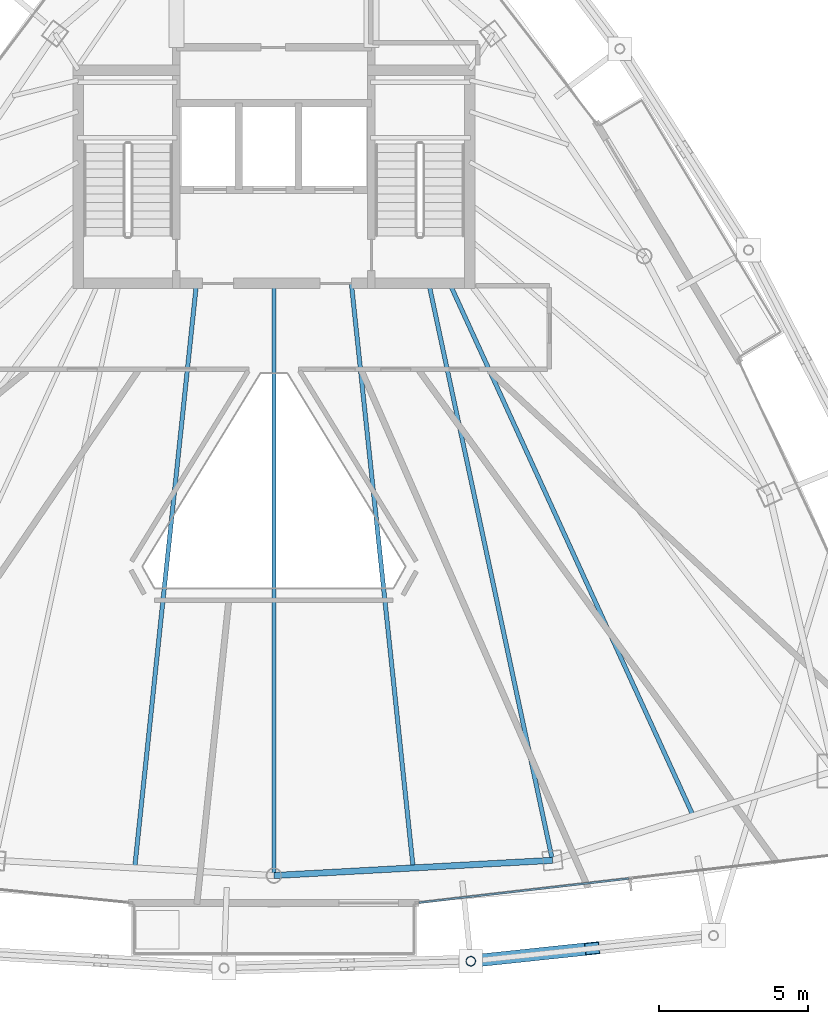
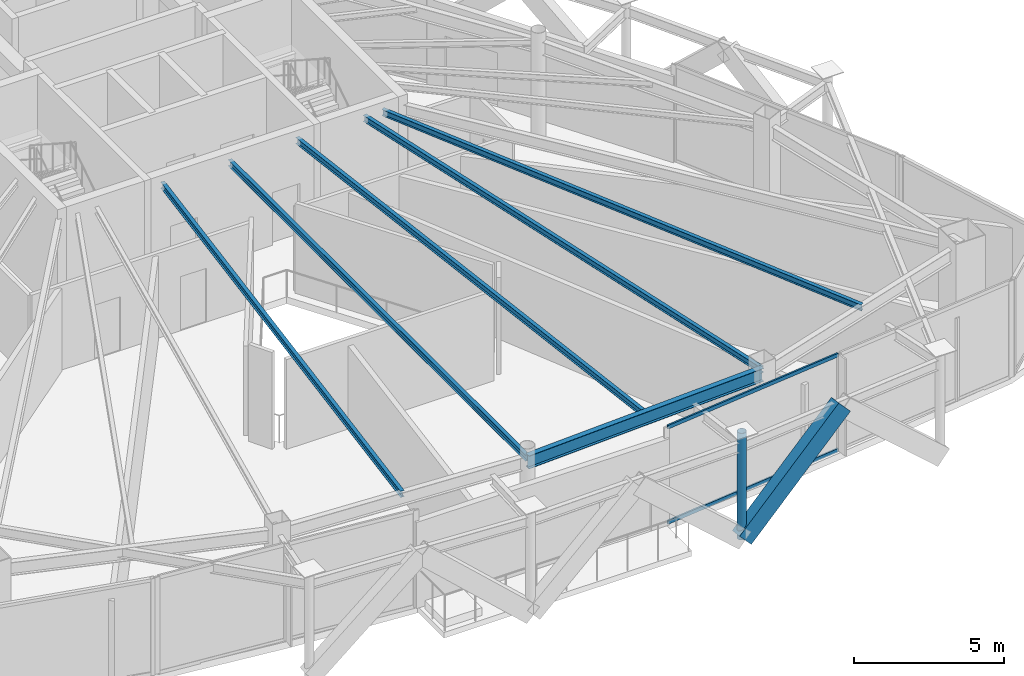
# One storey, part 7 of 22: 6 beams, 4 members, 1 element without a shape of its own.
"""IFC4 building model written with IfcOpenShell, lengths in metres."""

from ifc_helpers import new_model, si_unit, direction, frame, origin, origin_2d, place, context, subcontext, project, spatial, hollow_rectangle, hollow_circle, i_section, extrude, material, layer, layer_set, material_profile, profile_set, type_object, element, aggregate, save


model = new_model("IFC4")

# Units and contexts
model_context = context("Model", 3, precision=1e-05, world=origin(), true_north=direction((0.0, 1.0)))
body_context = subcontext(model_context, "Body", "Model", "MODEL_VIEW")
ifc_project = project(units=[si_unit("LENGTHUNIT", "METRE"), si_unit("AREAUNIT", "SQUARE_METRE"), si_unit("VOLUMEUNIT", "CUBIC_METRE"), si_unit("PLANEANGLEUNIT", "RADIAN"), si_unit("MASSUNIT", "GRAM", prefix="KILO")], contexts=[model_context])

# Site, building, storey
site_placement = place(None, origin())
site = spatial("IfcSite", under=ifc_project, at=site_placement, CompositionType="ELEMENT")
building_placement = place(site_placement, origin())
building = spatial("IfcBuilding", under=site, at=building_placement, Name="Orvanel Arch Residences", CompositionType="ELEMENT")
storey_placement = place(building_placement, frame((0.0, 0.0, 276.64990234375)))
storey = spatial("IfcBuildingStorey", under=building, at=storey_placement, Name="L79", CompositionType="ELEMENT", Elevation=276.64990234375)

# Beams
ifc_material_1 = material(Name="Structural steel AS/NZS 3679.1 Grade 300 (300 MPa)", Category="steel")
ifc_material_profile_1 = material_profile(ifc_material_1, i_section(OverallWidth=0.14599609375, OverallDepth=0.251953125, WebThickness=0.006103515625, FlangeThickness=0.008544921875, at=origin_2d()), Name="250UB31.4")
ifc_profile_set_1 = profile_set([ifc_material_profile_1], Name="Structural steel AS/NZS 3679.1 Grade 300 (300 MPa)")
beam_type_1 = type_object("IfcBeamType", Name="BJ-250UB", PredefinedType="JOIST", material=ifc_profile_set_1)
beam_1_placement = place(storey_placement, frame((38.199951171875, 26.72509765625, 3.82421875), z_axis=(0.209547604985, -0.977798446125, 0.0), x_axis=(0.977798446125, 0.209547604985, 0.0)))
element("IfcBeam", 1, at=beam_1_placement, inside=storey, type_object=beam_type_1, Name="L79 SE Wing Floor Joist", PredefinedType="JOIST", context=body_context, shape_type="SweptSolid", body=[
    extrude(i_section(OverallWidth=0.14599609375, OverallDepth=0.251953125, WebThickness=0.006103515625, FlangeThickness=0.008544921875, at=origin_2d()), origin(), (0.0, 0.0, 1.0), 19.809814453125),
])
beam_2_placement = place(storey_placement, frame((33.0, 26.72509765625, 3.82421875), z_axis=(0.0, -1.0, 0.0), x_axis=(1.0, 0.0, 0.0)))
element("IfcBeam", 2, at=beam_2_placement, inside=storey, type_object=beam_type_1, Name="L79 SSW Wing Floor Joist", PredefinedType="JOIST", context=body_context, shape_type="SweptSolid", body=[
    extrude(i_section(OverallWidth=0.14599609375, OverallDepth=0.251953125, WebThickness=0.006103515625, FlangeThickness=0.008544921875, at=origin_2d()), origin(), (0.0, 0.0, 1.0), 19.881103515625),
])
for number, where, z_axis, x_axis, name in (
    (3, (30.39990234375, 26.72509765625, 3.82421875), (-0.105143936131, -0.994457014, 0.0), (0.994457014, -0.105143936131, 0.0), "L79 WSW2 Wing Floor Joist"),
    (4, (35.60009765625, 26.72509765625, 3.82421875), (0.105143936131, -0.994457014, 0.0), (0.994457014, 0.105143936131, 0.0), "L79 ESE2 Wing Floor Joist"),
):
    element("IfcBeam", number, at=place(storey_placement, frame(where, z_axis=z_axis, x_axis=x_axis)), inside=storey, type_object=beam_type_1, Name=name, PredefinedType="JOIST", context=body_context, shape_type="SweptSolid", body=[
        extrude(i_section(OverallWidth=0.14599609375, OverallDepth=0.251953125, WebThickness=0.006103515625, FlangeThickness=0.008544921875, at=origin_2d()), origin(), (0.0, 0.0, 1.0), 19.734375),
    ])
beam_3_placement = place(storey_placement, frame((38.89990234375, 26.72509765625, 3.82421875), z_axis=(0.416009574066, -0.909360233508, 0.0), x_axis=(0.909360233508, 0.416009574066, 0.0)))
element("IfcBeam", 5, at=beam_3_placement, inside=storey, type_object=beam_type_1, Name="L79 JADD2 Wing Floor Joist", PredefinedType="JOIST", context=body_context, shape_type="SweptSolid", body=[
    extrude(i_section(OverallWidth=0.14599609375, OverallDepth=0.251953125, WebThickness=0.006103515625, FlangeThickness=0.008544921875, at=origin_2d()), origin(), (0.0, 0.0, 1.0), 19.653564453125),
])

# Member
ifc_material_2 = material(Name="Structural steel AS/NZS 3678 Grade 350", Category="steel")
ifc_material_profile_2 = material_profile(ifc_material_2, hollow_rectangle(XDim=0.419921875, YDim=0.719970703125, WallThickness=0.02490234375, at=origin_2d()), Name="RHS720x420x25")
ifc_profile_set_2 = profile_set([ifc_material_profile_2], Name="Structural steel AS/NZS 3678 Grade 350")
member_type_1 = type_object("IfcMemberType", Name="BR-720RHS-EXT", PredefinedType="BRACE", material=ifc_profile_set_2)
member_1_placement = place(storey_placement, frame((39.610107421875, 3.967041015625, 0.0), z_axis=(0.733809545694, 0.077439839993, 0.674927123348), x_axis=(-0.104948472519, 0.994477660944, 0.0)))
element("IfcMember", 6, at=member_1_placement, inside=storey, type_object=member_type_1, Name="L79 Exterior Sky-Garden V-Frame Chevron F2B3.1", PredefinedType="BRACE", context=body_context, shape_type="SweptSolid", body=[
    extrude(hollow_rectangle(XDim=0.419921875, YDim=0.719970703125, WallThickness=0.02490234375, at=origin_2d()), origin(), (0.0, 0.0, 1.0), 5.5517578125),
])

# Beam
ifc_material_profile_3 = material_profile(ifc_material_1, i_section(OverallWidth=0.208984375, OverallDepth=0.532958984375, WebThickness=0.01025390625, FlangeThickness=0.015625, at=origin_2d()), Name="530UB92.4")
ifc_profile_set_3 = profile_set([ifc_material_profile_3], Name="Structural steel AS/NZS 3679.1 Grade 300 (300 MPa)")
beam_type_2 = type_object("IfcBeamType", Name="SP-530UB", PredefinedType="SPANDREL", material=ifc_profile_set_3)
beam_4_placement = place(storey_placement, frame((33.0, 6.843994140625, 3.68408203125), z_axis=(0.998510315598, 0.054563262768, 0.0), x_axis=(-0.054563262768, 0.998510315598, 0.0)))
element("IfcBeam", 7, at=beam_4_placement, inside=storey, type_object=beam_type_2, Name="L79 Perimeter Spandrel Beam 04", PredefinedType="SPANDREL", context=body_context, shape_type="SweptSolid", body=[
    extrude(i_section(OverallWidth=0.208984375, OverallDepth=0.532958984375, WebThickness=0.01025390625, FlangeThickness=0.015625, at=origin_2d()), origin(), (0.0, 0.0, 1.0), 9.364990234375),
])

# Member
ifc_material_3 = material(Name="Structural steel AS/NZS 1163 C350L0 (Grade 350)", Category="steel")
ifc_material_profile_4 = material_profile(ifc_material_3, hollow_circle(Radius=0.162109375, WallThickness=0.0126953125, at=origin_2d()), Name="CHS324x12.7")
ifc_profile_set_4 = profile_set([ifc_material_profile_4], Name="Structural steel AS/NZS 1163 C350L0 (Grade 350)")
member_type_2 = type_object("IfcMemberType", Name="ST-324CHS-EXT", PredefinedType="STRUT", material=ifc_profile_set_4)
member_2_placement = place(storey_placement, frame((39.610107421875, 3.967041015625, 0.0), z_axis=(0.0, 0.0, 1.0), x_axis=(1.0, 0.0, 0.0)))
element("IfcMember", 8, at=member_2_placement, inside=storey, type_object=member_type_2, Name="L79 Outer Perimeter Frame Post 07", PredefinedType="STRUT", context=body_context, shape_type="SweptSolid", body=[
    extrude(hollow_circle(Radius=0.162109375, WallThickness=0.0126953125, at=origin_2d()), origin(), (0.0, 0.0, 1.0), 4.35009765625),
])

# Curtain wall, members
ifc_material_4 = material(Name="Bronze-anodised aluminium AA6063-T6", Category="aluminium")
ifc_layer = layer(ifc_material_4, 0.195068359375)
ifc_layer_set = layer_set([ifc_layer], Name="Bronze-anodised aluminium AA6063-T6")
curtain_wall_type = type_object("IfcCurtainWallType", Name="CW6-COM-SYS", PredefinedType="NOTDEFINED", material=ifc_layer_set)
curtain_wall_placement = place(storey_placement, origin())
curtain_wall = element("IfcCurtainWall", 9, at=curtain_wall_placement, inside=storey, type_object=curtain_wall_type, Name="L79 CW6-COM-SYS Unitised Curtain Wall", PredefinedType="NOTDEFINED")
ifc_material_profile_5 = material_profile(ifc_material_4, hollow_rectangle(XDim=0.06494140625, YDim=0.14990234375, WallThickness=0.00390625, at=origin_2d()), Name="ALU150x65x4")
ifc_profile_set_5 = profile_set([ifc_material_profile_5], Name="Bronze-anodised aluminium AA6063-T6")
member_type_3 = type_object("IfcMemberType", Name="TRN-150x65", PredefinedType="USERDEFINED", material=ifc_profile_set_5)
member_3_placement = place(storey_placement, frame((37.87451171875, 5.9365234375, 0.03271484375), z_axis=(0.993482822269, 0.113981936533, 0.0), x_axis=(-0.113981936533, 0.993482822269, 0.0)))
member_3 = element("IfcMember", 10, at=member_3_placement, type_object=member_type_3, Name="CW-S6 transom 1.1", ObjectType="TRANSOM", PredefinedType="USERDEFINED", context=body_context, shape_type="SweptSolid", body=[
    extrude(hollow_rectangle(XDim=0.06494140625, YDim=0.14990234375, WallThickness=0.00390625, at=origin_2d()), origin(), (0.0, 0.0, 1.0), 7.08544921875),
])
member_4_placement = place(storey_placement, frame((37.87451171875, 5.9365234375, 3.91748046875), z_axis=(0.993482822269, 0.113981936533, 0.0), x_axis=(-0.113981936533, 0.993482822269, 0.0)))
member_4 = element("IfcMember", 11, at=member_4_placement, type_object=member_type_3, Name="CW-S6 transom 1.2", ObjectType="TRANSOM", PredefinedType="USERDEFINED", context=body_context, shape_type="SweptSolid", body=[
    extrude(hollow_rectangle(XDim=0.06494140625, YDim=0.14990234375, WallThickness=0.00390625, at=origin_2d()), origin(), (0.0, 0.0, 1.0), 7.08544921875),
])
aggregate(curtain_wall, [member_3, member_4])

save(model, "model.ifc")
